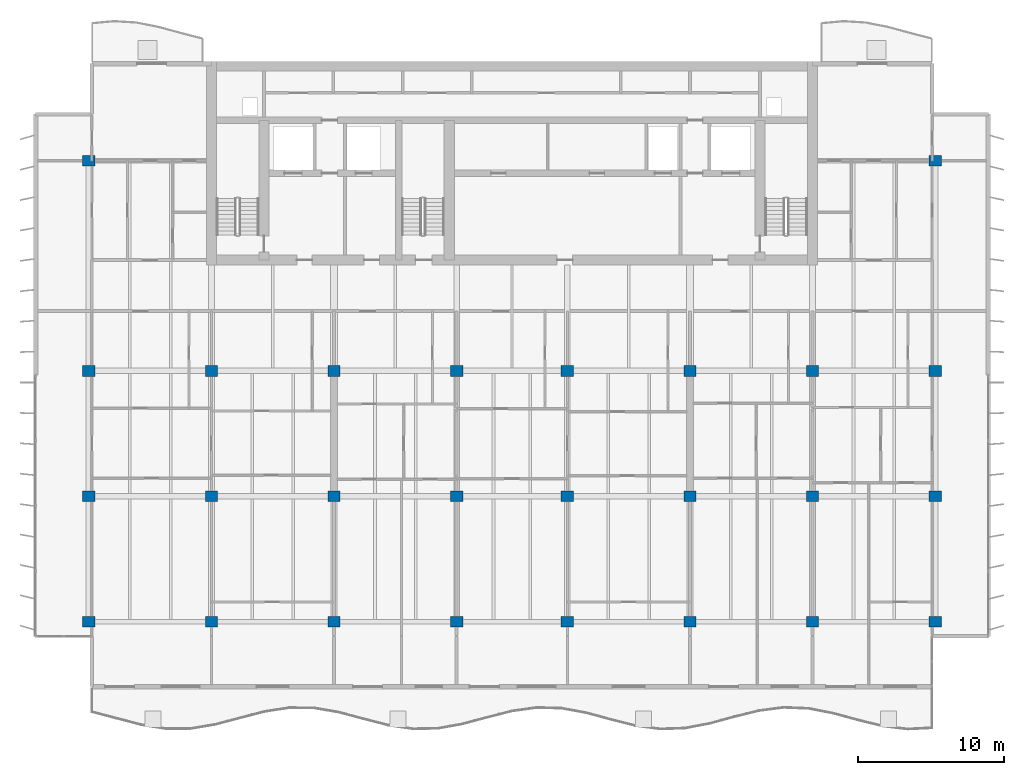
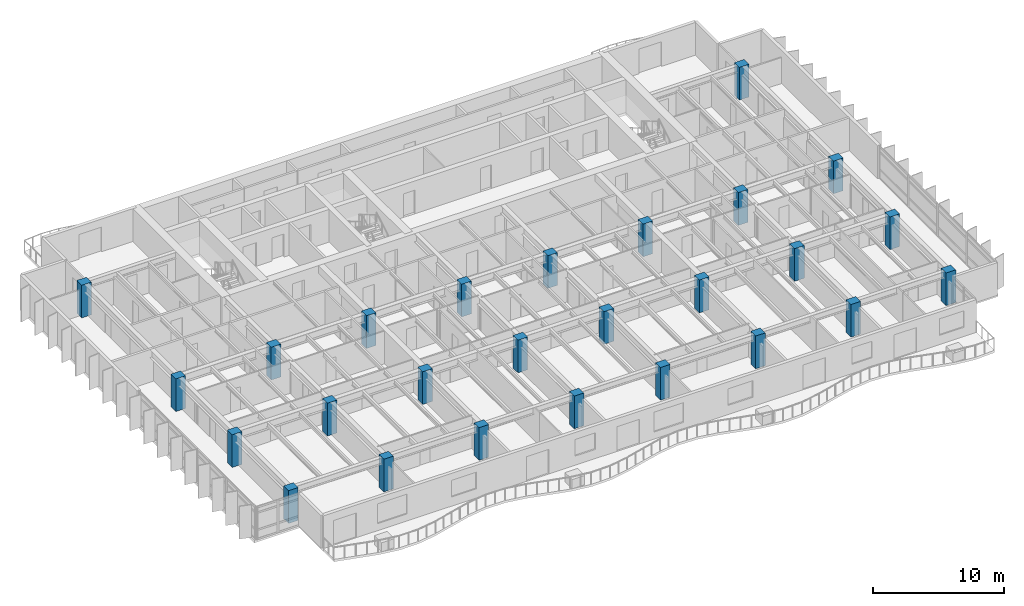
# One storey, part 1 of 19: 26 columns.
"""IFC4 building model written with IfcOpenShell, lengths in metres."""

from ifc_helpers import new_model, si_unit, direction, frame, origin, origin_2d, place, context, subcontext, project, spatial, rectangle, extrude, material, material_profile, profile_set, type_object, element, save


model = new_model("IFC4")

# Units and contexts
model_context = context("Model", 3, precision=1e-05, world=origin(), true_north=direction((0.0, 1.0)))
body_context = subcontext(model_context, "Body", "Model", "MODEL_VIEW")
ifc_project = project(units=[si_unit("LENGTHUNIT", "METRE"), si_unit("AREAUNIT", "SQUARE_METRE"), si_unit("VOLUMEUNIT", "CUBIC_METRE"), si_unit("PLANEANGLEUNIT", "RADIAN"), si_unit("MASSUNIT", "GRAM", prefix="KILO")], contexts=[model_context])

# Site, building, storey
site_placement = place(None, origin())
site = spatial("IfcSite", under=ifc_project, at=site_placement, CompositionType="ELEMENT")
building_placement = place(site_placement, origin())
building = spatial("IfcBuilding", under=site, at=building_placement, Name="Caelmar Bay Residences", CompositionType="ELEMENT")
storey_placement = place(building_placement, frame((0.0, 0.0, 188.39990234375)))
storey = spatial("IfcBuildingStorey", under=building, at=storey_placement, Name="L52", CompositionType="ELEMENT", Elevation=188.39990234375)

# Columns
ifc_material = material(Name="Concrete f'c 55 MPa (8,000 psi)", Category="concrete")
ifc_material_profile = material_profile(ifc_material, rectangle(XDim=0.85009765625, YDim=0.75, at=origin_2d()), Name="RC-COL-850X750")
ifc_profile_set = profile_set([ifc_material_profile], Name="Concrete f'c 55 MPa (8,000 psi)")
column_type = type_object("IfcColumnType", Name="COL-RC-850X750", PredefinedType="COLUMN", material=ifc_profile_set)
for number, where, z_axis, x_axis, name in (
    (1, (9.89990234375, 12.199951171875, 0.0), (0.0, 0.0, 1.0), (1.0, 0.0, 0.0), "L52 Column (9.90,12.20)"),
    (2, (18.300048828125, 12.199951171875, 0.0), (0.0, 0.0, 1.0), (1.0, 0.0, 0.0), "L52 Column (18.30,12.20)"),
    (3, (26.699951171875, 12.199951171875, 0.0), (0.0, 0.0, 1.0), (1.0, 0.0, 0.0), "L52 Column (26.70,12.20)"),
    (4, (35.10009765625, 12.199951171875, 0.0), (0.0, 0.0, 1.0), (1.0, 0.0, 0.0), "L52 Column (35.10,12.20)"),
    (5, (42.699951171875, 12.199951171875, 0.0), (0.0, 0.0, 1.0), (1.0, 0.0, 0.0), "L52 Column (42.70,12.20)"),
    (6, (51.10009765625, 12.199951171875, 0.0), (0.0, 0.0, 1.0), (1.0, 0.0, 0.0), "L52 Column (51.10,12.20)"),
    (7, (59.5, 12.199951171875, 0.0), (0.0, 0.0, 1.0), (1.0, 0.0, 0.0), "L52 Column (59.50,12.20)"),
    (8, (67.89990234375, 12.199951171875, 0.0), (0.0, 0.0, 1.0), (1.0, 0.0, 0.0), "L52 Column (67.90,12.20)"),
    (9, (9.89990234375, 20.800048828125, 0.0), (0.0, 0.0, 1.0), (1.0, 0.0, 0.0), "L52 Column (9.90,20.80)"),
    (10, (18.300048828125, 20.800048828125, 0.0), (0.0, 0.0, 1.0), (1.0, 0.0, 0.0), "L52 Column (18.30,20.80)"),
    (11, (26.699951171875, 20.800048828125, 0.0), (0.0, 0.0, 1.0), (1.0, 0.0, 0.0), "L52 Column (26.70,20.80)"),
    (12, (35.10009765625, 20.800048828125, 0.0), (0.0, 0.0, 1.0), (1.0, 0.0, 0.0), "L52 Column (35.10,20.80)"),
    (13, (42.699951171875, 20.800048828125, 0.0), (0.0, 0.0, 1.0), (1.0, 0.0, 0.0), "L52 Column (42.70,20.80)"),
    (14, (51.10009765625, 20.800048828125, 0.0), (0.0, 0.0, 1.0), (1.0, 0.0, 0.0), "L52 Column (51.10,20.80)"),
    (15, (59.5, 20.800048828125, 0.0), (0.0, 0.0, 1.0), (1.0, 0.0, 0.0), "L52 Column (59.50,20.80)"),
    (16, (67.89990234375, 20.800048828125, 0.0), (0.0, 0.0, 1.0), (1.0, 0.0, 0.0), "L52 Column (67.90,20.80)"),
    (17, (9.89990234375, 29.39990234375, 0.0), (0.0, 0.0, 1.0), (1.0, 0.0, 0.0), "L52 Column (9.90,29.40)"),
    (18, (18.300048828125, 29.39990234375, 0.0), (0.0, 0.0, 1.0), (1.0, 0.0, 0.0), "L52 Column (18.30,29.40)"),
    (19, (26.699951171875, 29.39990234375, 0.0), (0.0, 0.0, 1.0), (1.0, 0.0, 0.0), "L52 Column (26.70,29.40)"),
    (20, (35.10009765625, 29.39990234375, 0.0), (0.0, 0.0, 1.0), (1.0, 0.0, 0.0), "L52 Column (35.10,29.40)"),
    (21, (42.699951171875, 29.39990234375, 0.0), (0.0, 0.0, 1.0), (1.0, 0.0, 0.0), "L52 Column (42.70,29.40)"),
    (22, (51.10009765625, 29.39990234375, 0.0), (0.0, 0.0, 1.0), (1.0, 0.0, 0.0), "L52 Column (51.10,29.40)"),
    (23, (59.5, 29.39990234375, 0.0), (0.0, 0.0, 1.0), (1.0, 0.0, 0.0), "L52 Column (59.50,29.40)"),
    (24, (67.89990234375, 29.39990234375, 0.0), (0.0, 0.0, 1.0), (1.0, 0.0, 0.0), "L52 Column (67.90,29.40)"),
    (25, (9.89990234375, 43.800048828125, 0.0), (0.0, 0.0, 1.0), (1.0, 0.0, 0.0), "L52 Column (9.90,43.80)"),
    (26, (67.89990234375, 43.800048828125, 0.0), (0.0, 0.0, 1.0), (1.0, 0.0, 0.0), "L52 Column (67.90,43.80)"),
):
    element("IfcColumn", number, at=place(storey_placement, frame(where, z_axis=z_axis, x_axis=x_axis)), inside=storey, type_object=column_type, Name=name, PredefinedType="COLUMN", context=body_context, shape_type="SweptSolid", body=[
        extrude(rectangle(XDim=0.85009765625, YDim=0.75, at=origin_2d()), origin(), (0.0, 0.0, 1.0), 3.050048828125),
    ])

save(model, "model.ifc")
